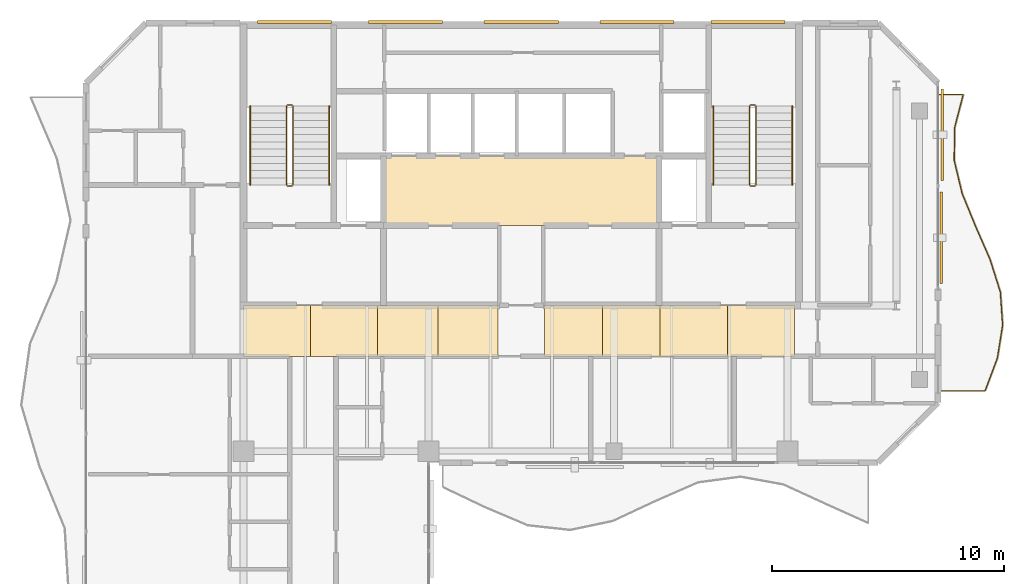
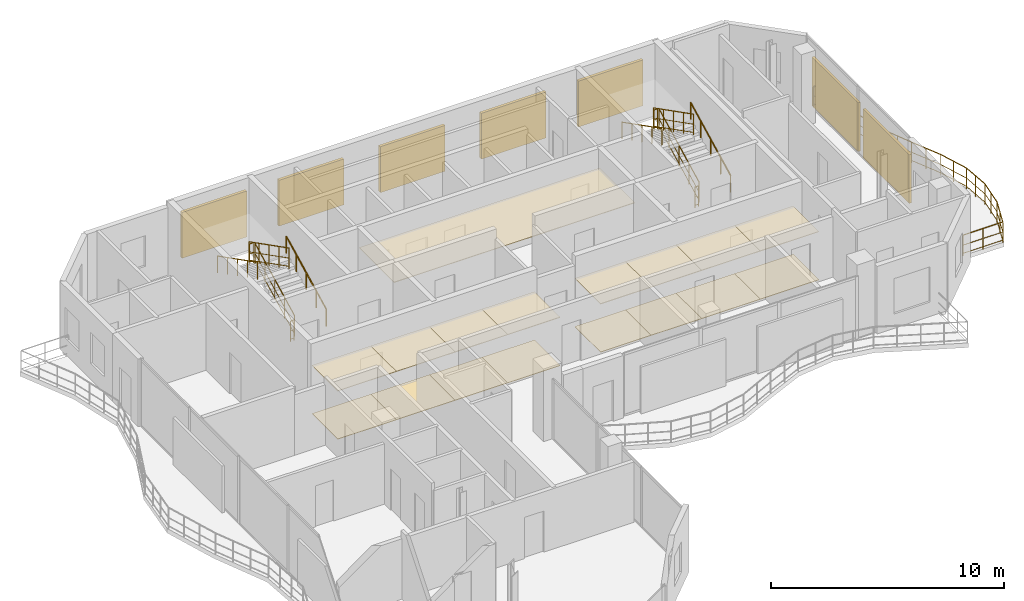
# One storey, part 17 of 17: 17 coverings, 13 railings, 7 shading devices.
"""IFC4 building model written with IfcOpenShell, lengths in metres."""

from ifc_helpers import new_model, si_unit, direction, frame, origin, origin_2d, place, context, subcontext, project, spatial, polyline, rectangle, circle, outline, extrude, material, layer, layer_set, type_object, element, save


model = new_model("IFC4")

# Units and contexts
model_context = context("Model", 3, precision=1e-05, world=origin(), true_north=direction((0.0, 1.0)))
body_context = subcontext(model_context, "Body", "Model", "MODEL_VIEW")
ifc_project = project(units=[si_unit("LENGTHUNIT", "METRE"), si_unit("AREAUNIT", "SQUARE_METRE"), si_unit("VOLUMEUNIT", "CUBIC_METRE"), si_unit("PLANEANGLEUNIT", "RADIAN"), si_unit("MASSUNIT", "GRAM", prefix="KILO")], contexts=[model_context])

# Site, building, storey
site_placement = place(None, origin())
site = spatial("IfcSite", under=ifc_project, at=site_placement, CompositionType="ELEMENT")
building_placement = place(site_placement, origin())
building = spatial("IfcBuilding", under=site, at=building_placement, Name="Catumbela Crestline Tower", CompositionType="ELEMENT")
storey_placement = place(building_placement, frame((0.0, 0.0, 271.6)))
storey = spatial("IfcBuildingStorey", under=building, at=storey_placement, Name="L70", CompositionType="ELEMENT", Elevation=271.6)

# Coverings
ifc_material_1 = material(Name="Mineral-fibre acoustic ceiling")
ifc_layer_1 = layer(ifc_material_1, 0.03, Name="Mineral-fibre acoustic ceiling")
ifc_layer_set_1 = layer_set([ifc_layer_1], Name="Mineral-fibre acoustic ceiling")
covering_type_1 = type_object("IfcCoveringType", Name="CC-AC", PredefinedType="CEILING", material=ifc_layer_set_1)
covering_1_placement = place(storey_placement, frame((0.0, 0.0, 2.65)))
element("IfcCovering", 1, at=covering_1_placement, inside=storey, type_object=covering_type_1, Name="L70 Lift Lobby Acoustic Ceiling", PredefinedType="CEILING", context=body_context, shape_type="SweptSolid", body=[
    extrude(outline(polyline([(22.05, 34.25), (33.95, 34.25), (33.95, 37.25), (22.05, 37.25), (22.05, 34.25)])), origin(), (0.0, 0.0, 1.0), 0.03),
])
covering_2_placement = place(storey_placement, frame((0.0, 0.0, 2.52)))
element("IfcCovering", 2, at=covering_2_placement, inside=storey, type_object=covering_type_1, Name="L70 Corridor Acoustic Ceiling Bay 1", PredefinedType="CEILING", context=body_context, shape_type="SweptSolid", body=[
    extrude(outline(polyline([(16.0, 28.6), (18.9, 28.6), (18.9, 30.8), (16.0, 30.8), (16.0, 28.6)])), origin(), (0.0, 0.0, 1.0), 0.03),
])
covering_3_placement = place(storey_placement, frame((0.0, 0.0, 2.52)))
element("IfcCovering", 3, at=covering_3_placement, inside=storey, type_object=covering_type_1, Name="L70 Corridor Acoustic Ceiling Bay 2", PredefinedType="CEILING", context=body_context, shape_type="SweptSolid", body=[
    extrude(outline(polyline([(18.9, 28.6), (21.8, 28.6), (21.8, 30.8), (18.9, 30.8), (18.9, 28.6)])), origin(), (0.0, 0.0, 1.0), 0.03),
])
covering_4_placement = place(storey_placement, frame((0.0, 0.0, 2.52)))
element("IfcCovering", 4, at=covering_4_placement, inside=storey, type_object=covering_type_1, Name="L70 Corridor Acoustic Ceiling Bay 3", PredefinedType="CEILING", context=body_context, shape_type="SweptSolid", body=[
    extrude(outline(polyline([(21.8, 28.6), (24.4, 28.6), (24.4, 30.8), (21.8, 30.8), (21.8, 28.6)])), origin(), (0.0, 0.0, 1.0), 0.03),
])
covering_5_placement = place(storey_placement, frame((0.0, 0.0, 2.52)))
element("IfcCovering", 5, at=covering_5_placement, inside=storey, type_object=covering_type_1, Name="L70 Corridor Acoustic Ceiling Bay 4", PredefinedType="CEILING", context=body_context, shape_type="SweptSolid", body=[
    extrude(outline(polyline([(24.4, 28.6), (27.0, 28.6), (27.0, 30.8), (24.4, 30.8), (24.4, 28.6)])), origin(), (0.0, 0.0, 1.0), 0.03),
])
covering_6_placement = place(storey_placement, frame((0.0, 0.0, 2.52)))
element("IfcCovering", 6, at=covering_6_placement, inside=storey, type_object=covering_type_1, Name="L70 Corridor Acoustic Ceiling Bay 5", PredefinedType="CEILING", context=body_context, shape_type="SweptSolid", body=[
    extrude(outline(polyline([(29.0, 28.6), (31.5, 28.6), (31.5, 30.8), (29.0, 30.8), (29.0, 28.6)])), origin(), (0.0, 0.0, 1.0), 0.03),
])
covering_7_placement = place(storey_placement, frame((0.0, 0.0, 2.52)))
element("IfcCovering", 7, at=covering_7_placement, inside=storey, type_object=covering_type_1, Name="L70 Corridor Acoustic Ceiling Bay 6", PredefinedType="CEILING", context=body_context, shape_type="SweptSolid", body=[
    extrude(outline(polyline([(31.5, 28.6), (34.0, 28.6), (34.0, 30.8), (31.5, 30.8), (31.5, 28.6)])), origin(), (0.0, 0.0, 1.0), 0.03),
])
covering_8_placement = place(storey_placement, frame((0.0, 0.0, 2.52)))
element("IfcCovering", 8, at=covering_8_placement, inside=storey, type_object=covering_type_1, Name="L70 Corridor Acoustic Ceiling Bay 7", PredefinedType="CEILING", context=body_context, shape_type="SweptSolid", body=[
    extrude(outline(polyline([(34.0, 28.6), (36.9, 28.6), (36.9, 30.8), (34.0, 30.8), (34.0, 28.6)])), origin(), (0.0, 0.0, 1.0), 0.03),
])
covering_9_placement = place(storey_placement, frame((0.0, 0.0, 2.52)))
element("IfcCovering", 9, at=covering_9_placement, inside=storey, type_object=covering_type_1, Name="L70 Corridor Acoustic Ceiling Bay 8", PredefinedType="CEILING", context=body_context, shape_type="SweptSolid", body=[
    extrude(outline(polyline([(36.9, 28.6), (39.8, 28.6), (39.8, 30.8), (36.9, 30.8), (36.9, 28.6)])), origin(), (0.0, 0.0, 1.0), 0.03),
])
ifc_material_2 = material(Name="Angolan grey-ochre granite", Category="masonry")
ifc_layer_2 = layer(ifc_material_2, 0.025, Name="Angolan grey-ochre granite")
ifc_layer_set_2 = layer_set([ifc_layer_2], Name="Angolan grey-ochre granite")
covering_type_2 = type_object("IfcCoveringType", Name="CF-GR", PredefinedType="FLOORING", material=ifc_layer_set_2)
covering_10_placement = place(storey_placement, origin())
element("IfcCovering", 10, at=covering_10_placement, inside=storey, type_object=covering_type_2, Name="L70 Corridor Granite Flooring Bay 1", PredefinedType="FLOORING", context=body_context, shape_type="SweptSolid", body=[
    extrude(outline(polyline([(16.0, 28.6), (18.9, 28.6), (18.9, 30.8), (16.0, 30.8), (16.0, 28.6)])), origin(), (0.0, 0.0, 1.0), 0.025),
])
covering_11_placement = place(storey_placement, origin())
element("IfcCovering", 11, at=covering_11_placement, inside=storey, type_object=covering_type_2, Name="L70 Corridor Granite Flooring Bay 2", PredefinedType="FLOORING", context=body_context, shape_type="SweptSolid", body=[
    extrude(outline(polyline([(18.9, 28.6), (21.8, 28.6), (21.8, 30.8), (18.9, 30.8), (18.9, 28.6)])), origin(), (0.0, 0.0, 1.0), 0.025),
])
covering_12_placement = place(storey_placement, origin())
element("IfcCovering", 12, at=covering_12_placement, inside=storey, type_object=covering_type_2, Name="L70 Corridor Granite Flooring Bay 3", PredefinedType="FLOORING", context=body_context, shape_type="SweptSolid", body=[
    extrude(outline(polyline([(21.8, 28.6), (24.4, 28.6), (24.4, 30.8), (21.8, 30.8), (21.8, 28.6)])), origin(), (0.0, 0.0, 1.0), 0.025),
])
covering_13_placement = place(storey_placement, origin())
element("IfcCovering", 13, at=covering_13_placement, inside=storey, type_object=covering_type_2, Name="L70 Corridor Granite Flooring Bay 4", PredefinedType="FLOORING", context=body_context, shape_type="SweptSolid", body=[
    extrude(outline(polyline([(24.4, 28.6), (27.0, 28.6), (27.0, 30.8), (24.4, 30.8), (24.4, 28.6)])), origin(), (0.0, 0.0, 1.0), 0.025),
])
covering_14_placement = place(storey_placement, origin())
element("IfcCovering", 14, at=covering_14_placement, inside=storey, type_object=covering_type_2, Name="L70 Corridor Granite Flooring Bay 5", PredefinedType="FLOORING", context=body_context, shape_type="SweptSolid", body=[
    extrude(outline(polyline([(29.0, 28.6), (31.5, 28.6), (31.5, 30.8), (29.0, 30.8), (29.0, 28.6)])), origin(), (0.0, 0.0, 1.0), 0.025),
])
covering_15_placement = place(storey_placement, origin())
element("IfcCovering", 15, at=covering_15_placement, inside=storey, type_object=covering_type_2, Name="L70 Corridor Granite Flooring Bay 6", PredefinedType="FLOORING", context=body_context, shape_type="SweptSolid", body=[
    extrude(outline(polyline([(31.5, 28.6), (34.0, 28.6), (34.0, 30.8), (31.5, 30.8), (31.5, 28.6)])), origin(), (0.0, 0.0, 1.0), 0.025),
])
covering_16_placement = place(storey_placement, origin())
element("IfcCovering", 16, at=covering_16_placement, inside=storey, type_object=covering_type_2, Name="L70 Corridor Granite Flooring Bay 7", PredefinedType="FLOORING", context=body_context, shape_type="SweptSolid", body=[
    extrude(outline(polyline([(34.0, 28.6), (36.9, 28.6), (36.9, 30.8), (34.0, 30.8), (34.0, 28.6)])), origin(), (0.0, 0.0, 1.0), 0.025),
])
covering_17_placement = place(storey_placement, origin())
element("IfcCovering", 17, at=covering_17_placement, inside=storey, type_object=covering_type_2, Name="L70 Corridor Granite Flooring Bay 8", PredefinedType="FLOORING", context=body_context, shape_type="SweptSolid", body=[
    extrude(outline(polyline([(36.9, 28.6), (39.8, 28.6), (39.8, 30.8), (36.9, 30.8), (36.9, 28.6)])), origin(), (0.0, 0.0, 1.0), 0.025),
])

# Railings
ifc_material_3 = material(Name="Stainless steel EN 1.4401", Category="steel")
railing_type_1 = type_object("IfcRailingType", Name="RB-1100", PredefinedType="BALUSTRADE", material=ifc_material_3)
railing_1_placement = place(storey_placement, frame((46.06, 27.1, 0.0)))
element("IfcRailing", 18, at=railing_1_placement, inside=storey, type_object=railing_type_1, Name="L70 Private Wave Balcony Balustrade 2", PredefinedType="BALUSTRADE", context=body_context, shape_type="SweptSolid", body=[
    extrude(circle(Radius=0.024, at=origin_2d()), frame((0.0, 0.0, 1.076), z_axis=(1.0, 0.0, 0.0), x_axis=(0.0, 1.0, 0.0)), (0.0, 0.0, 1.0), 1.9698),
    extrude(circle(Radius=0.0156, at=origin_2d()), frame((0.0, 0.0, 0.55), z_axis=(1.0, 0.0, 0.0), x_axis=(0.0, 1.0, 0.0)), (0.0, 0.0, 1.0), 1.9698),
    extrude(circle(Radius=0.0156, at=origin_2d()), frame((0.0, 0.0, 0.12), z_axis=(1.0, 0.0, 0.0), x_axis=(0.0, 1.0, 0.0)), (0.0, 0.0, 1.0), 1.9698),
    extrude(circle(Radius=0.024, at=origin_2d()), frame((1.9698, 0.0, 1.076), z_axis=(0.351455264393, 0.936204676943, 0.0), x_axis=(-0.936204676943, 0.351455264393, 0.0)), (0.0, 0.0, 1.0), 1.5191),
    extrude(circle(Radius=0.0156, at=origin_2d()), frame((1.9698, 0.0, 0.55), z_axis=(0.351455264393, 0.936204676943, 0.0), x_axis=(-0.936204676943, 0.351455264393, 0.0)), (0.0, 0.0, 1.0), 1.5191),
    extrude(circle(Radius=0.0156, at=origin_2d()), frame((1.9698, 0.0, 0.12), z_axis=(0.351455264393, 0.936204676943, 0.0), x_axis=(-0.936204676943, 0.351455264393, 0.0)), (0.0, 0.0, 1.0), 1.5191),
    extrude(circle(Radius=0.024, at=origin_2d()), frame((2.5037, 1.4222, 1.076), z_axis=(0.157142754715, 0.987575898167, 0.0), x_axis=(-0.987575898167, 0.157142754715, 0.0)), (0.0, 0.0, 1.0), 1.4401),
    extrude(circle(Radius=0.0156, at=origin_2d()), frame((2.5037, 1.4222, 0.55), z_axis=(0.157142754715, 0.987575898167, 0.0), x_axis=(-0.987575898167, 0.157142754715, 0.0)), (0.0, 0.0, 1.0), 1.4401),
    extrude(circle(Radius=0.0156, at=origin_2d()), frame((2.5037, 1.4222, 0.12), z_axis=(0.157142754715, 0.987575898167, 0.0), x_axis=(-0.987575898167, 0.157142754715, 0.0)), (0.0, 0.0, 1.0), 1.4401),
    extrude(circle(Radius=0.024, at=origin_2d()), frame((2.73, 2.8444, 1.076), z_axis=(-0.067412914345, 0.997725162046, 0.0), x_axis=(-0.997725162046, -0.067412914345, 0.0)), (0.0, 0.0, 1.0), 1.4255),
    extrude(circle(Radius=0.0156, at=origin_2d()), frame((2.73, 2.8444, 0.55), z_axis=(-0.067412914345, 0.997725162046, 0.0), x_axis=(-0.997725162046, -0.067412914345, 0.0)), (0.0, 0.0, 1.0), 1.4255),
    extrude(circle(Radius=0.0156, at=origin_2d()), frame((2.73, 2.8444, 0.12), z_axis=(-0.067412914345, 0.997725162046, 0.0), x_axis=(-0.997725162046, -0.067412914345, 0.0)), (0.0, 0.0, 1.0), 1.4255),
    extrude(circle(Radius=0.024, at=origin_2d()), frame((2.6339, 4.2667, 1.076), z_axis=(-0.300755852671, 0.953701167601, 0.0), x_axis=(-0.953701167601, -0.300755852671, 0.0)), (0.0, 0.0, 1.0), 1.4912),
    extrude(circle(Radius=0.0156, at=origin_2d()), frame((2.6339, 4.2667, 0.55), z_axis=(-0.300755852671, 0.953701167601, 0.0), x_axis=(-0.953701167601, -0.300755852671, 0.0)), (0.0, 0.0, 1.0), 1.4912),
    extrude(circle(Radius=0.0156, at=origin_2d()), frame((2.6339, 4.2667, 0.12), z_axis=(-0.300755852671, 0.953701167601, 0.0), x_axis=(-0.953701167601, -0.300755852671, 0.0)), (0.0, 0.0, 1.0), 1.4912),
    extrude(circle(Radius=0.024, at=origin_2d()), frame((2.1854, 5.6889, 1.076), z_axis=(-0.401082371339, 0.91604199216, 0.0), x_axis=(-0.91604199216, -0.401082371339, 0.0)), (0.0, 0.0, 1.0), 1.5525),
    extrude(circle(Radius=0.0156, at=origin_2d()), frame((2.1854, 5.6889, 0.55), z_axis=(-0.401082371339, 0.91604199216, 0.0), x_axis=(-0.91604199216, -0.401082371339, 0.0)), (0.0, 0.0, 1.0), 1.5525),
    extrude(circle(Radius=0.0156, at=origin_2d()), frame((2.1854, 5.6889, 0.12), z_axis=(-0.401082371339, 0.91604199216, 0.0), x_axis=(-0.91604199216, -0.401082371339, 0.0)), (0.0, 0.0, 1.0), 1.5525),
    extrude(circle(Radius=0.024, at=origin_2d()), frame((1.5627, 7.1111, 1.076), z_axis=(-0.378850740944, 0.925457787307, 0.0), x_axis=(-0.925457787307, -0.378850740944, 0.0)), (0.0, 0.0, 1.0), 1.5368),
    extrude(circle(Radius=0.0156, at=origin_2d()), frame((1.5627, 7.1111, 0.55), z_axis=(-0.378850740944, 0.925457787307, 0.0), x_axis=(-0.925457787307, -0.378850740944, 0.0)), (0.0, 0.0, 1.0), 1.5368),
    extrude(circle(Radius=0.0156, at=origin_2d()), frame((1.5627, 7.1111, 0.12), z_axis=(-0.378850740944, 0.925457787307, 0.0), x_axis=(-0.925457787307, -0.378850740944, 0.0)), (0.0, 0.0, 1.0), 1.5368),
    extrude(circle(Radius=0.024, at=origin_2d()), frame((0.9805, 8.5333, 1.076), z_axis=(-0.233274690382, 0.972410879632, 0.0), x_axis=(-0.972410879632, -0.233274690382, 0.0)), (0.0, 0.0, 1.0), 1.4627),
    extrude(circle(Radius=0.0156, at=origin_2d()), frame((0.9805, 8.5333, 0.55), z_axis=(-0.233274690382, 0.972410879632, 0.0), x_axis=(-0.972410879632, -0.233274690382, 0.0)), (0.0, 0.0, 1.0), 1.4627),
    extrude(circle(Radius=0.0156, at=origin_2d()), frame((0.9805, 8.5333, 0.12), z_axis=(-0.233274690382, 0.972410879632, 0.0), x_axis=(-0.972410879632, -0.233274690382, 0.0)), (0.0, 0.0, 1.0), 1.4627),
    extrude(circle(Radius=0.024, at=origin_2d()), frame((0.6393, 9.9556, 1.076), z_axis=(0.0121633527, 0.999926023689, 0.0), x_axis=(-0.999926023689, 0.0121633527, 0.0)), (0.0, 0.0, 1.0), 1.4223),
    extrude(circle(Radius=0.0156, at=origin_2d()), frame((0.6393, 9.9556, 0.55), z_axis=(0.0121633527, 0.999926023689, 0.0), x_axis=(-0.999926023689, 0.0121633527, 0.0)), (0.0, 0.0, 1.0), 1.4223),
    extrude(circle(Radius=0.0156, at=origin_2d()), frame((0.6393, 9.9556, 0.12), z_axis=(0.0121633527, 0.999926023689, 0.0), x_axis=(-0.999926023689, 0.0121633527, 0.0)), (0.0, 0.0, 1.0), 1.4223),
    extrude(circle(Radius=0.024, at=origin_2d()), frame((0.6566, 11.3778, 1.076), z_axis=(0.251715438991, 0.967801290438, 0.0), x_axis=(-0.967801290438, 0.251715438991, 0.0)), (0.0, 0.0, 1.0), 1.4695),
    extrude(circle(Radius=0.0156, at=origin_2d()), frame((0.6566, 11.3778, 0.55), z_axis=(0.251715438991, 0.967801290438, 0.0), x_axis=(-0.967801290438, 0.251715438991, 0.0)), (0.0, 0.0, 1.0), 1.4695),
    extrude(circle(Radius=0.0156, at=origin_2d()), frame((0.6566, 11.3778, 0.12), z_axis=(0.251715438991, 0.967801290438, 0.0), x_axis=(-0.967801290438, 0.251715438991, 0.0)), (0.0, 0.0, 1.0), 1.4695),
    extrude(circle(Radius=0.024, at=origin_2d()), frame((1.0265, 12.8, 1.076), z_axis=(-1.0, 0.0, 0.0), x_axis=(0.0, -1.0, 0.0)), (0.0, 0.0, 1.0), 1.0265),
    extrude(circle(Radius=0.0156, at=origin_2d()), frame((1.0265, 12.8, 0.55), z_axis=(-1.0, 0.0, 0.0), x_axis=(0.0, -1.0, 0.0)), (0.0, 0.0, 1.0), 1.0265),
    extrude(circle(Radius=0.0156, at=origin_2d()), frame((1.0265, 12.8, 0.12), z_axis=(-1.0, 0.0, 0.0), x_axis=(0.0, -1.0, 0.0)), (0.0, 0.0, 1.0), 1.0265),
    extrude(circle(Radius=0.021, at=origin_2d()), origin(), (0.0, 0.0, 1.0), 1.052),
    extrude(circle(Radius=0.021, at=origin_2d()), frame((0.9849, 0.0, 0.0)), (0.0, 0.0, 1.0), 1.052),
    extrude(circle(Radius=0.021, at=origin_2d()), frame((1.9698, 0.0, 0.0)), (0.0, 0.0, 1.0), 1.052),
    extrude(circle(Radius=0.021, at=origin_2d()), frame((2.2367, 0.7111, 0.0)), (0.0, 0.0, 1.0), 1.052),
    extrude(circle(Radius=0.021, at=origin_2d()), frame((2.5037, 1.4222, 0.0)), (0.0, 0.0, 1.0), 1.052),
    extrude(circle(Radius=0.021, at=origin_2d()), frame((2.6168, 2.1333, 0.0)), (0.0, 0.0, 1.0), 1.052),
    extrude(circle(Radius=0.021, at=origin_2d()), frame((2.73, 2.8444, 0.0)), (0.0, 0.0, 1.0), 1.052),
    extrude(circle(Radius=0.021, at=origin_2d()), frame((2.6819, 3.5556, 0.0)), (0.0, 0.0, 1.0), 1.052),
    extrude(circle(Radius=0.021, at=origin_2d()), frame((2.6339, 4.2667, 0.0)), (0.0, 0.0, 1.0), 1.052),
    extrude(circle(Radius=0.021, at=origin_2d()), frame((2.4096, 4.9778, 0.0)), (0.0, 0.0, 1.0), 1.052),
    extrude(circle(Radius=0.021, at=origin_2d()), frame((2.1854, 5.6889, 0.0)), (0.0, 0.0, 1.0), 1.052),
    extrude(circle(Radius=0.021, at=origin_2d()), frame((1.874, 6.4, 0.0)), (0.0, 0.0, 1.0), 1.052),
    extrude(circle(Radius=0.021, at=origin_2d()), frame((1.5627, 7.1111, 0.0)), (0.0, 0.0, 1.0), 1.052),
    extrude(circle(Radius=0.021, at=origin_2d()), frame((1.2716, 7.8222, 0.0)), (0.0, 0.0, 1.0), 1.052),
    extrude(circle(Radius=0.021, at=origin_2d()), frame((0.9805, 8.5333, 0.0)), (0.0, 0.0, 1.0), 1.052),
    extrude(circle(Radius=0.021, at=origin_2d()), frame((0.8099, 9.2444, 0.0)), (0.0, 0.0, 1.0), 1.052),
    extrude(circle(Radius=0.021, at=origin_2d()), frame((0.6393, 9.9556, 0.0)), (0.0, 0.0, 1.0), 1.052),
    extrude(circle(Radius=0.021, at=origin_2d()), frame((0.6479, 10.6667, 0.0)), (0.0, 0.0, 1.0), 1.052),
    extrude(circle(Radius=0.021, at=origin_2d()), frame((0.6566, 11.3778, 0.0)), (0.0, 0.0, 1.0), 1.052),
    extrude(circle(Radius=0.021, at=origin_2d()), frame((0.8415, 12.0889, 0.0)), (0.0, 0.0, 1.0), 1.052),
    extrude(circle(Radius=0.021, at=origin_2d()), frame((1.0265, 12.8, 0.0)), (0.0, 0.0, 1.0), 1.052),
    extrude(circle(Radius=0.021, at=origin_2d()), frame((0.0, 12.8, 0.0)), (0.0, 0.0, 1.0), 1.052),
])
railing_type_2 = type_object("IfcRailingType", Name="RG-1100", PredefinedType="GUARDRAIL", material=ifc_material_3)
railing_2_placement = place(storey_placement, frame((18.14, 36.0, 0.1583)))
element("IfcRailing", 19, at=railing_2_placement, inside=storey, type_object=railing_type_2, Name="L70 ST-01 stair guard 1", PredefinedType="GUARDRAIL", context=body_context, shape_type="SweptSolid", body=[
    extrude(circle(Radius=0.024, at=origin_2d()), frame((0.0, 0.0, 1.076), z_axis=(0.0, 0.890560473983, 0.454864861447), x_axis=(-1.0, 0.0, 0.0)), (0.0, 0.0, 1.0), 3.829),
    extrude(circle(Radius=0.0156, at=origin_2d()), frame((0.0, 0.0, 0.55), z_axis=(0.0, 0.890560473983, 0.454864861447), x_axis=(-1.0, 0.0, 0.0)), (0.0, 0.0, 1.0), 3.829),
    extrude(circle(Radius=0.0156, at=origin_2d()), frame((0.0, 0.0, 0.12), z_axis=(0.0, 0.890560473983, 0.454864861447), x_axis=(-1.0, 0.0, 0.0)), (0.0, 0.0, 1.0), 3.829),
    extrude(circle(Radius=0.021, at=origin_2d()), origin(), (0.0, 0.0, 1.0), 1.052),
    extrude(circle(Radius=0.021, at=origin_2d()), frame((0.0, 0.8525, 0.4354)), (0.0, 0.0, 1.0), 1.052),
    extrude(circle(Radius=0.021, at=origin_2d()), frame((0.0, 1.705, 0.8708)), (0.0, 0.0, 1.0), 1.052),
    extrude(circle(Radius=0.021, at=origin_2d()), frame((0.0, 2.5575, 1.3063)), (0.0, 0.0, 1.0), 1.052),
    extrude(circle(Radius=0.021, at=origin_2d()), frame((0.0, 3.41, 1.7417)), (0.0, 0.0, 1.0), 1.052),
])
railing_3_placement = place(storey_placement, frame((18.09, 39.46, 1.9)))
element("IfcRailing", 20, at=railing_3_placement, inside=storey, type_object=railing_type_2, Name="L70 ST-01 stair guard 2", PredefinedType="GUARDRAIL", context=body_context, shape_type="SweptSolid", body=[
    extrude(circle(Radius=0.024, at=origin_2d()), frame((0.0, 0.0, 1.076), z_axis=(-1.0, 0.0, 0.0), x_axis=(0.0, -1.0, 0.0)), (0.0, 0.0, 1.0), 0.18),
    extrude(circle(Radius=0.0156, at=origin_2d()), frame((0.0, 0.0, 0.55), z_axis=(-1.0, 0.0, 0.0), x_axis=(0.0, -1.0, 0.0)), (0.0, 0.0, 1.0), 0.18),
    extrude(circle(Radius=0.0156, at=origin_2d()), frame((0.0, 0.0, 0.12), z_axis=(-1.0, 0.0, 0.0), x_axis=(0.0, -1.0, 0.0)), (0.0, 0.0, 1.0), 0.18),
    extrude(circle(Radius=0.021, at=origin_2d()), origin(), (0.0, 0.0, 1.0), 1.052),
    extrude(circle(Radius=0.021, at=origin_2d()), frame((-0.18, 0.0, 0.0)), (0.0, 0.0, 1.0), 1.052),
])
railing_4_placement = place(storey_placement, frame((17.86, 39.41, 2.0583)))
element("IfcRailing", 21, at=railing_4_placement, inside=storey, type_object=railing_type_2, Name="L70 ST-01 stair guard 3", PredefinedType="GUARDRAIL", context=body_context, shape_type="SweptSolid", body=[
    extrude(circle(Radius=0.024, at=origin_2d()), frame((0.0, 0.0, 1.076), z_axis=(0.0, -0.890560473983, 0.454864861447), x_axis=(1.0, 0.0, 0.0)), (0.0, 0.0, 1.0), 3.829),
    extrude(circle(Radius=0.0156, at=origin_2d()), frame((0.0, 0.0, 0.55), z_axis=(0.0, -0.890560473983, 0.454864861447), x_axis=(1.0, 0.0, 0.0)), (0.0, 0.0, 1.0), 3.829),
    extrude(circle(Radius=0.0156, at=origin_2d()), frame((0.0, 0.0, 0.12), z_axis=(0.0, -0.890560473983, 0.454864861447), x_axis=(1.0, 0.0, 0.0)), (0.0, 0.0, 1.0), 3.829),
    extrude(circle(Radius=0.021, at=origin_2d()), origin(), (0.0, 0.0, 1.0), 1.052),
    extrude(circle(Radius=0.021, at=origin_2d()), frame((0.0, -0.8525, 0.4354)), (0.0, 0.0, 1.0), 1.052),
    extrude(circle(Radius=0.021, at=origin_2d()), frame((0.0, -1.705, 0.8708)), (0.0, 0.0, 1.0), 1.052),
    extrude(circle(Radius=0.021, at=origin_2d()), frame((0.0, -2.5575, 1.3063)), (0.0, 0.0, 1.0), 1.052),
    extrude(circle(Radius=0.021, at=origin_2d()), frame((0.0, -3.41, 1.7417)), (0.0, 0.0, 1.0), 1.052),
])
railing_5_placement = place(storey_placement, frame((18.09, 35.95, 0.0)))
element("IfcRailing", 22, at=railing_5_placement, inside=storey, type_object=railing_type_2, Name="L70 ST-01 stair guard 4", PredefinedType="GUARDRAIL", context=body_context, shape_type="SweptSolid", body=[
    extrude(circle(Radius=0.024, at=origin_2d()), frame((0.0, 0.0, 1.076), z_axis=(-1.0, 0.0, 0.0), x_axis=(0.0, -1.0, 0.0)), (0.0, 0.0, 1.0), 0.18),
    extrude(circle(Radius=0.0156, at=origin_2d()), frame((0.0, 0.0, 0.55), z_axis=(-1.0, 0.0, 0.0), x_axis=(0.0, -1.0, 0.0)), (0.0, 0.0, 1.0), 0.18),
    extrude(circle(Radius=0.0156, at=origin_2d()), frame((0.0, 0.0, 0.12), z_axis=(-1.0, 0.0, 0.0), x_axis=(0.0, -1.0, 0.0)), (0.0, 0.0, 1.0), 0.18),
    extrude(circle(Radius=0.021, at=origin_2d()), origin(), (0.0, 0.0, 1.0), 1.052),
    extrude(circle(Radius=0.021, at=origin_2d()), frame((-0.18, 0.0, 0.0)), (0.0, 0.0, 1.0), 1.052),
])
railing_6_placement = place(storey_placement, frame((38.14, 36.0, 0.1583)))
element("IfcRailing", 23, at=railing_6_placement, inside=storey, type_object=railing_type_2, Name="L70 ST-02 stair guard 1", PredefinedType="GUARDRAIL", context=body_context, shape_type="SweptSolid", body=[
    extrude(circle(Radius=0.024, at=origin_2d()), frame((0.0, 0.0, 1.076), z_axis=(0.0, 0.890560473983, 0.454864861447), x_axis=(-1.0, 0.0, 0.0)), (0.0, 0.0, 1.0), 3.829),
    extrude(circle(Radius=0.0156, at=origin_2d()), frame((0.0, 0.0, 0.55), z_axis=(0.0, 0.890560473983, 0.454864861447), x_axis=(-1.0, 0.0, 0.0)), (0.0, 0.0, 1.0), 3.829),
    extrude(circle(Radius=0.0156, at=origin_2d()), frame((0.0, 0.0, 0.12), z_axis=(0.0, 0.890560473983, 0.454864861447), x_axis=(-1.0, 0.0, 0.0)), (0.0, 0.0, 1.0), 3.829),
    extrude(circle(Radius=0.021, at=origin_2d()), origin(), (0.0, 0.0, 1.0), 1.052),
    extrude(circle(Radius=0.021, at=origin_2d()), frame((0.0, 0.8525, 0.4354)), (0.0, 0.0, 1.0), 1.052),
    extrude(circle(Radius=0.021, at=origin_2d()), frame((0.0, 1.705, 0.8708)), (0.0, 0.0, 1.0), 1.052),
    extrude(circle(Radius=0.021, at=origin_2d()), frame((0.0, 2.5575, 1.3063)), (0.0, 0.0, 1.0), 1.052),
    extrude(circle(Radius=0.021, at=origin_2d()), frame((0.0, 3.41, 1.7417)), (0.0, 0.0, 1.0), 1.052),
])
railing_7_placement = place(storey_placement, frame((38.09, 39.46, 1.9)))
element("IfcRailing", 24, at=railing_7_placement, inside=storey, type_object=railing_type_2, Name="L70 ST-02 stair guard 2", PredefinedType="GUARDRAIL", context=body_context, shape_type="SweptSolid", body=[
    extrude(circle(Radius=0.024, at=origin_2d()), frame((0.0, 0.0, 1.076), z_axis=(-1.0, 0.0, 0.0), x_axis=(0.0, -1.0, 0.0)), (0.0, 0.0, 1.0), 0.18),
    extrude(circle(Radius=0.0156, at=origin_2d()), frame((0.0, 0.0, 0.55), z_axis=(-1.0, 0.0, 0.0), x_axis=(0.0, -1.0, 0.0)), (0.0, 0.0, 1.0), 0.18),
    extrude(circle(Radius=0.0156, at=origin_2d()), frame((0.0, 0.0, 0.12), z_axis=(-1.0, 0.0, 0.0), x_axis=(0.0, -1.0, 0.0)), (0.0, 0.0, 1.0), 0.18),
    extrude(circle(Radius=0.021, at=origin_2d()), origin(), (0.0, 0.0, 1.0), 1.052),
    extrude(circle(Radius=0.021, at=origin_2d()), frame((-0.18, 0.0, 0.0)), (0.0, 0.0, 1.0), 1.052),
])
railing_8_placement = place(storey_placement, frame((37.86, 39.41, 2.0583)))
element("IfcRailing", 25, at=railing_8_placement, inside=storey, type_object=railing_type_2, Name="L70 ST-02 stair guard 3", PredefinedType="GUARDRAIL", context=body_context, shape_type="SweptSolid", body=[
    extrude(circle(Radius=0.024, at=origin_2d()), frame((0.0, 0.0, 1.076), z_axis=(0.0, -0.890560473983, 0.454864861447), x_axis=(1.0, 0.0, 0.0)), (0.0, 0.0, 1.0), 3.829),
    extrude(circle(Radius=0.0156, at=origin_2d()), frame((0.0, 0.0, 0.55), z_axis=(0.0, -0.890560473983, 0.454864861447), x_axis=(1.0, 0.0, 0.0)), (0.0, 0.0, 1.0), 3.829),
    extrude(circle(Radius=0.0156, at=origin_2d()), frame((0.0, 0.0, 0.12), z_axis=(0.0, -0.890560473983, 0.454864861447), x_axis=(1.0, 0.0, 0.0)), (0.0, 0.0, 1.0), 3.829),
    extrude(circle(Radius=0.021, at=origin_2d()), origin(), (0.0, 0.0, 1.0), 1.052),
    extrude(circle(Radius=0.021, at=origin_2d()), frame((0.0, -0.8525, 0.4354)), (0.0, 0.0, 1.0), 1.052),
    extrude(circle(Radius=0.021, at=origin_2d()), frame((0.0, -1.705, 0.8708)), (0.0, 0.0, 1.0), 1.052),
    extrude(circle(Radius=0.021, at=origin_2d()), frame((0.0, -2.5575, 1.3063)), (0.0, 0.0, 1.0), 1.052),
    extrude(circle(Radius=0.021, at=origin_2d()), frame((0.0, -3.41, 1.7417)), (0.0, 0.0, 1.0), 1.052),
])
railing_9_placement = place(storey_placement, frame((38.09, 35.95, 0.0)))
element("IfcRailing", 26, at=railing_9_placement, inside=storey, type_object=railing_type_2, Name="L70 ST-02 stair guard 4", PredefinedType="GUARDRAIL", context=body_context, shape_type="SweptSolid", body=[
    extrude(circle(Radius=0.024, at=origin_2d()), frame((0.0, 0.0, 1.076), z_axis=(-1.0, 0.0, 0.0), x_axis=(0.0, -1.0, 0.0)), (0.0, 0.0, 1.0), 0.18),
    extrude(circle(Radius=0.0156, at=origin_2d()), frame((0.0, 0.0, 0.55), z_axis=(-1.0, 0.0, 0.0), x_axis=(0.0, -1.0, 0.0)), (0.0, 0.0, 1.0), 0.18),
    extrude(circle(Radius=0.0156, at=origin_2d()), frame((0.0, 0.0, 0.12), z_axis=(-1.0, 0.0, 0.0), x_axis=(0.0, -1.0, 0.0)), (0.0, 0.0, 1.0), 0.18),
    extrude(circle(Radius=0.021, at=origin_2d()), origin(), (0.0, 0.0, 1.0), 1.052),
    extrude(circle(Radius=0.021, at=origin_2d()), frame((-0.18, 0.0, 0.0)), (0.0, 0.0, 1.0), 1.052),
])
railing_type_3 = type_object("IfcRailingType", Name="RH-0900", PredefinedType="HANDRAIL", material=ifc_material_3)
railing_10_placement = place(storey_placement, frame((19.7, 36.0, 0.1583)))
element("IfcRailing", 27, at=railing_10_placement, inside=storey, type_object=railing_type_3, Name="L70 ST-01 stair handrail 1", PredefinedType="HANDRAIL", context=body_context, shape_type="SweptSolid", body=[
    extrude(circle(Radius=0.024, at=origin_2d()), frame((0.0, 0.0, 0.876), z_axis=(0.0, 0.890560473983, 0.454864861447), x_axis=(-1.0, 0.0, 0.0)), (0.0, 0.0, 1.0), 3.829),
    extrude(circle(Radius=0.021, at=origin_2d()), origin(), (0.0, 0.0, 1.0), 0.852),
    extrude(circle(Radius=0.021, at=origin_2d()), frame((0.0, 0.8525, 0.4354)), (0.0, 0.0, 1.0), 0.852),
    extrude(circle(Radius=0.021, at=origin_2d()), frame((0.0, 1.705, 0.8708)), (0.0, 0.0, 1.0), 0.852),
    extrude(circle(Radius=0.021, at=origin_2d()), frame((0.0, 2.5575, 1.3063)), (0.0, 0.0, 1.0), 0.852),
    extrude(circle(Radius=0.021, at=origin_2d()), frame((0.0, 3.41, 1.7417)), (0.0, 0.0, 1.0), 0.852),
])
railing_11_placement = place(storey_placement, frame((16.3, 39.41, 2.0583)))
element("IfcRailing", 28, at=railing_11_placement, inside=storey, type_object=railing_type_3, Name="L70 ST-01 stair handrail 2", PredefinedType="HANDRAIL", context=body_context, shape_type="SweptSolid", body=[
    extrude(circle(Radius=0.024, at=origin_2d()), frame((0.0, 0.0, 0.876), z_axis=(0.0, -0.890560473983, 0.454864861447), x_axis=(1.0, 0.0, 0.0)), (0.0, 0.0, 1.0), 3.829),
    extrude(circle(Radius=0.021, at=origin_2d()), origin(), (0.0, 0.0, 1.0), 0.852),
    extrude(circle(Radius=0.021, at=origin_2d()), frame((0.0, -0.8525, 0.4354)), (0.0, 0.0, 1.0), 0.852),
    extrude(circle(Radius=0.021, at=origin_2d()), frame((0.0, -1.705, 0.8708)), (0.0, 0.0, 1.0), 0.852),
    extrude(circle(Radius=0.021, at=origin_2d()), frame((0.0, -2.5575, 1.3063)), (0.0, 0.0, 1.0), 0.852),
    extrude(circle(Radius=0.021, at=origin_2d()), frame((0.0, -3.41, 1.7417)), (0.0, 0.0, 1.0), 0.852),
])
railing_12_placement = place(storey_placement, frame((39.7, 36.0, 0.1583)))
element("IfcRailing", 29, at=railing_12_placement, inside=storey, type_object=railing_type_3, Name="L70 ST-02 stair handrail 1", PredefinedType="HANDRAIL", context=body_context, shape_type="SweptSolid", body=[
    extrude(circle(Radius=0.024, at=origin_2d()), frame((0.0, 0.0, 0.876), z_axis=(0.0, 0.890560473983, 0.454864861447), x_axis=(-1.0, 0.0, 0.0)), (0.0, 0.0, 1.0), 3.829),
    extrude(circle(Radius=0.021, at=origin_2d()), origin(), (0.0, 0.0, 1.0), 0.852),
    extrude(circle(Radius=0.021, at=origin_2d()), frame((0.0, 0.8525, 0.4354)), (0.0, 0.0, 1.0), 0.852),
    extrude(circle(Radius=0.021, at=origin_2d()), frame((0.0, 1.705, 0.8708)), (0.0, 0.0, 1.0), 0.852),
    extrude(circle(Radius=0.021, at=origin_2d()), frame((0.0, 2.5575, 1.3063)), (0.0, 0.0, 1.0), 0.852),
    extrude(circle(Radius=0.021, at=origin_2d()), frame((0.0, 3.41, 1.7417)), (0.0, 0.0, 1.0), 0.852),
])
railing_13_placement = place(storey_placement, frame((36.3, 39.41, 2.0583)))
element("IfcRailing", 30, at=railing_13_placement, inside=storey, type_object=railing_type_3, Name="L70 ST-02 stair handrail 2", PredefinedType="HANDRAIL", context=body_context, shape_type="SweptSolid", body=[
    extrude(circle(Radius=0.024, at=origin_2d()), frame((0.0, 0.0, 0.876), z_axis=(0.0, -0.890560473983, 0.454864861447), x_axis=(1.0, 0.0, 0.0)), (0.0, 0.0, 1.0), 3.829),
    extrude(circle(Radius=0.021, at=origin_2d()), origin(), (0.0, 0.0, 1.0), 0.852),
    extrude(circle(Radius=0.021, at=origin_2d()), frame((0.0, -0.8525, 0.4354)), (0.0, 0.0, 1.0), 0.852),
    extrude(circle(Radius=0.021, at=origin_2d()), frame((0.0, -1.705, 0.8708)), (0.0, 0.0, 1.0), 0.852),
    extrude(circle(Radius=0.021, at=origin_2d()), frame((0.0, -2.5575, 1.3063)), (0.0, 0.0, 1.0), 0.852),
    extrude(circle(Radius=0.021, at=origin_2d()), frame((0.0, -3.41, 1.7417)), (0.0, 0.0, 1.0), 0.852),
])

# Shading devices
ifc_material_4 = material(Name="Extruded terracotta ceramic", Category="masonry")
shading_device_type_1 = type_object("IfcShadingDeviceType", Name="ST-180", PredefinedType="USERDEFINED", material=ifc_material_4)
shading_device_1_placement = place(storey_placement, frame((23.0, 43.04, 0.55), z_axis=(0.0, 0.0, 1.0), x_axis=(1.0, 0.0, 0.0)))
element("IfcShadingDevice", 31, at=shading_device_1_placement, inside=storey, type_object=shading_device_type_1, Name="L70 Rear Core Terracotta Brise-Soleil Screen 855", ObjectType="SCREEN", PredefinedType="USERDEFINED", context=body_context, shape_type="SweptSolid", body=[
    extrude(rectangle(XDim=3.2, YDim=0.14, at=origin_2d()), origin(), (0.0, 0.0, 1.0), 2.4),
])
shading_device_type_2 = type_object("IfcShadingDeviceType", Name="ST-260", PredefinedType="USERDEFINED", material=ifc_material_4)
for number, where, z_axis, x_axis, name in (
    (32, (18.2, 43.04, 0.55), (0.0, 0.0, 1.0), (1.0, 0.0, 0.0), "L70 Rear Core Terracotta Brise-Soleil Screen 854"),
    (33, (33.0, 43.04, 0.55), (0.0, 0.0, 1.0), (1.0, 0.0, 0.0), "L70 Rear Core Terracotta Brise-Soleil Screen 857"),
):
    element("IfcShadingDevice", number, at=place(storey_placement, frame(where, z_axis=z_axis, x_axis=x_axis)), inside=storey, type_object=shading_device_type_2, Name=name, ObjectType="SCREEN", PredefinedType="USERDEFINED", context=body_context, shape_type="SweptSolid", body=[
        extrude(rectangle(XDim=3.2, YDim=0.14, at=origin_2d()), origin(), (0.0, 0.0, 1.0), 2.4),
    ])
shading_device_2_placement = place(storey_placement, frame((46.143, 33.725, -0.1), z_axis=(0.0, 0.0, 1.0), x_axis=(0.0, 1.0, 0.0)))
element("IfcShadingDevice", 34, at=shading_device_2_placement, inside=storey, type_object=shading_device_type_2, Name="L70 Perforated Terracotta Solar Screen 864 (260 mm)", ObjectType="SCREEN", PredefinedType="USERDEFINED", context=body_context, shape_type="SweptSolid", body=[
    extrude(rectangle(XDim=3.96, YDim=0.12, at=origin_2d()), origin(), (0.0, 0.0, 1.0), 2.55),
])
shading_device_type_3 = type_object("IfcShadingDeviceType", Name="ST-340", PredefinedType="USERDEFINED", material=ifc_material_4)
for number, where, z_axis, x_axis, name in (
    (35, (28.0, 43.04, 0.55), (0.0, 0.0, 1.0), (1.0, 0.0, 0.0), "L70 Rear Core Terracotta Brise-Soleil Screen 856"),
    (36, (37.8, 43.04, 0.55), (0.0, 0.0, 1.0), (1.0, 0.0, 0.0), "L70 Rear Core Terracotta Brise-Soleil Screen 858"),
):
    element("IfcShadingDevice", number, at=place(storey_placement, frame(where, z_axis=z_axis, x_axis=x_axis)), inside=storey, type_object=shading_device_type_3, Name=name, ObjectType="SCREEN", PredefinedType="USERDEFINED", context=body_context, shape_type="SweptSolid", body=[
        extrude(rectangle(XDim=3.2, YDim=0.14, at=origin_2d()), origin(), (0.0, 0.0, 1.0), 2.4),
    ])
shading_device_3_placement = place(storey_placement, frame((46.187, 38.175, -0.1), z_axis=(0.0, 0.0, 1.0), x_axis=(0.0, 1.0, 0.0)))
element("IfcShadingDevice", 37, at=shading_device_3_placement, inside=storey, type_object=shading_device_type_3, Name="L70 Perforated Terracotta Solar Screen 865 (340 mm)", ObjectType="SCREEN", PredefinedType="USERDEFINED", context=body_context, shape_type="SweptSolid", body=[
    extrude(rectangle(XDim=3.96, YDim=0.12, at=origin_2d()), origin(), (0.0, 0.0, 1.0), 2.55),
])

save(model, "model.ifc")
